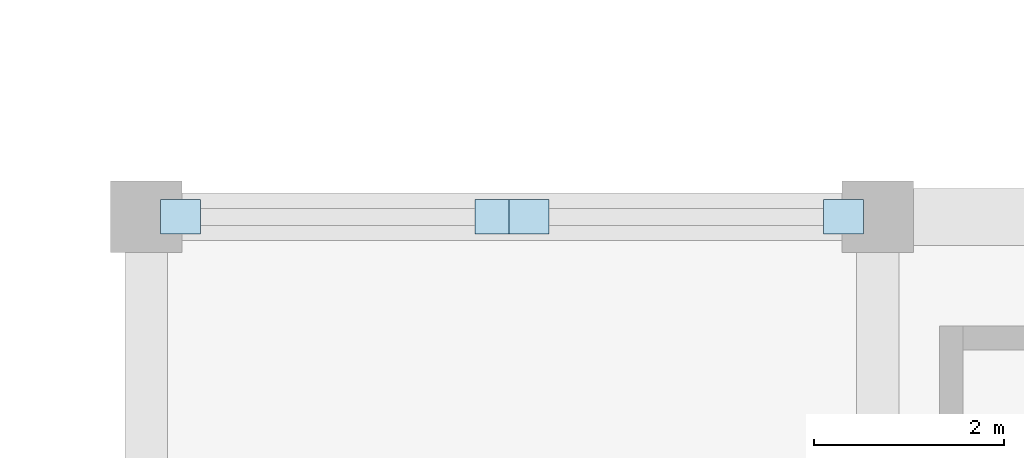
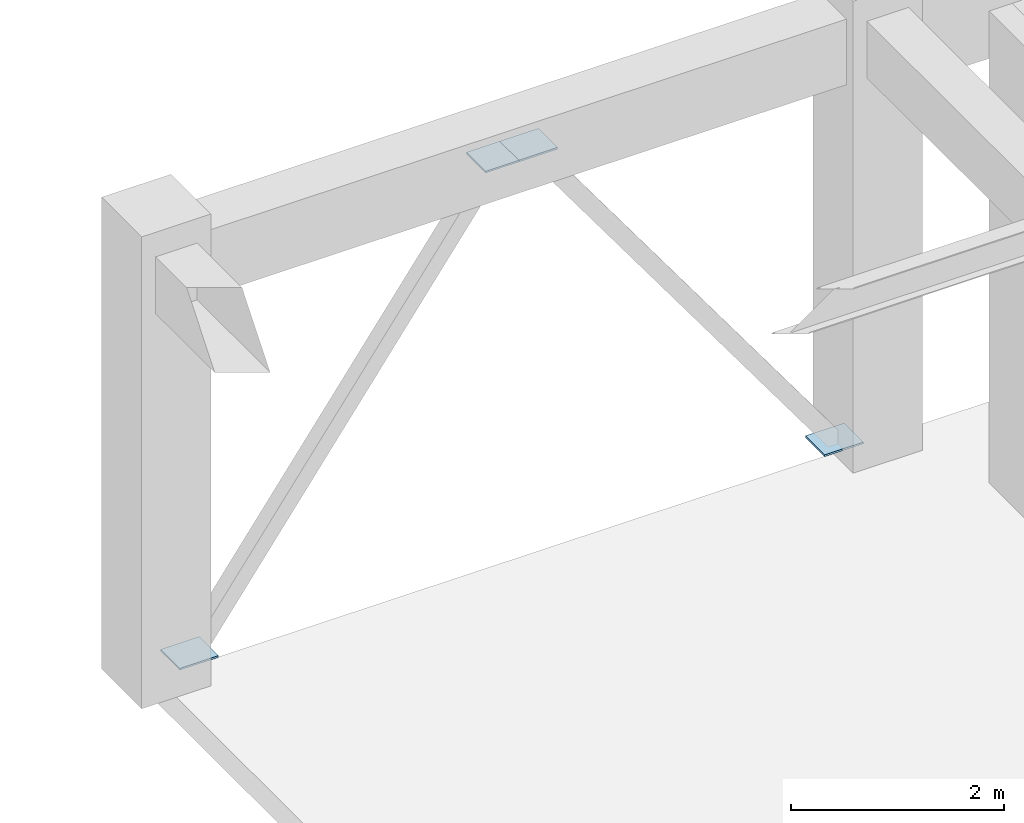
# One storey, part 52 of 70: 4 plates.
"""IFC4 building model written with IfcOpenShell, lengths in metres."""

import ifcopenshell
import ifcopenshell.guid

model = None  # the IFC model being written
_history = None  # IfcOwnerHistory: only IFC2X3 demands one
_inside = {}  # id of a spatial element -> (the spatial element, [elements in it])
_under = {}  # id of a project, library or spatial element -> (it, [spatial elements below it])
_declared = {}  # id of a project -> (the project, [libraries it declares])
_typed = {}  # id of a type object -> (the type object, [elements of that type])
_made_of = {}  # id of a material, layer set ... -> (it, [elements and type objects made of it])


def new_model(schema):
    """Start an empty IFC model of exactly this schema.

    Asked for "IFC4X3", IfcOpenShell would pick the latest addendum, in which some entities
    have other attributes; the version numbers below select the first issue.
    IFC2X3 requires an IfcOwnerHistory on every rooted entity: one is made here for all.
    """
    global model, _history
    if schema == "IFC4X3":
        model = ifcopenshell.file(schema_version=(4, 3, 0, 0))
    else:
        model = ifcopenshell.file(schema=schema)
    _inside.clear()
    _under.clear()
    _declared.clear()
    _typed.clear()
    _made_of.clear()
    _history = None
    if model.schema == "IFC2X3":
        org = make("IfcOrganization", Name="unknown")
        user = make(
            "IfcPersonAndOrganization",
            ThePerson=make("IfcPerson", FamilyName="unknown"),
            TheOrganization=org,
        )
        app = make(
            "IfcApplication",
            ApplicationDeveloper=org,
            Version="unknown",
            ApplicationFullName="unknown",
            ApplicationIdentifier="unknown",
        )
        _history = make(
            "IfcOwnerHistory",
            OwningUser=user,
            OwningApplication=app,
            ChangeAction="ADDED",
            CreationDate=0,
        )
    return model


def make(cls, **values):
    """One entity of the class cls with the attributes given. An attribute that is None is left unset."""
    return model.create_entity(
        cls, **{name: value for name, value in values.items() if value is not None}
    )


def rooted(cls, **values):
    """An entity with a GlobalId (a new one), such as an element, a storey or a relation."""
    return make(cls, GlobalId=ifcopenshell.guid.new(), OwnerHistory=_history, **values)


def si_unit(unit_type, name, prefix=None):
    """IfcSIUnit, for example si_unit("LENGTHUNIT", "METRE", prefix="MILLI")."""
    return make("IfcSIUnit", UnitType=unit_type, Prefix=prefix, Name=name)


def assignment(units):
    """IfcUnitAssignment: the units of a project."""
    return None if units is None else make("IfcUnitAssignment", Units=units)


def point(xyz):
    """IfcCartesianPoint."""
    return None if xyz is None else make("IfcCartesianPoint", Coordinates=xyz)


def direction(xyz):
    """IfcDirection."""
    return None if xyz is None else make("IfcDirection", DirectionRatios=xyz)


def frame(location, z_axis=None, x_axis=None):
    """IfcAxis2Placement3D, a coordinate frame: its origin and axes. An axis left out is left unset."""
    return make(
        "IfcAxis2Placement3D",
        Location=point(location),
        Axis=direction(z_axis),
        RefDirection=direction(x_axis),
    )


def frame_2d(location, x_axis=None):
    """IfcAxis2Placement2D, a coordinate frame in the plane: its origin and x axis."""
    return make(
        "IfcAxis2Placement2D", Location=point(location), RefDirection=direction(x_axis)
    )


def origin():
    """The frame at (0, 0, 0) with its axes left unset."""
    return frame((0.0, 0.0, 0.0))


def origin_2d():
    """The frame at (0, 0) in the plane with its x axis left unset."""
    return frame_2d((0.0, 0.0))


def place(relative_to, where):
    """IfcLocalPlacement: puts the frame where relative to a parent placement (None: the world)."""
    return make(
        "IfcLocalPlacement", PlacementRelTo=relative_to, RelativePlacement=where
    )


def context(
    kind, dimensions, precision=None, world=None, true_north=None, identifier=None
):
    """IfcGeometricRepresentationContext, for example the 3D "Model" context."""
    return make(
        "IfcGeometricRepresentationContext",
        ContextIdentifier=identifier,
        ContextType=kind,
        CoordinateSpaceDimension=dimensions,
        Precision=precision,
        WorldCoordinateSystem=world,
        TrueNorth=true_north,
    )


def subcontext(parent, identifier, kind, view, scale=None):
    """IfcGeometricRepresentationSubContext, for example "Body" below "Model"."""
    return make(
        "IfcGeometricRepresentationSubContext",
        ContextIdentifier=identifier,
        ContextType=kind,
        ParentContext=parent,
        TargetScale=scale,
        TargetView=view,
    )


def project(units=None, contexts=None):
    """IfcProject with its units and contexts."""
    return rooted(
        "IfcProject",
        Name="project",
        RepresentationContexts=contexts,
        UnitsInContext=assignment(units),
    )


def spatial(cls, under=None, at=None, **own):
    """A site, building, storey or space (cls), placed at a placement, below another one or the project."""
    s = rooted(cls, ObjectPlacement=at, **own)
    if under is not None:
        _under.setdefault(under.id(), (under, []))[1].append(s)
    return s


def profile(cls, at=None, kind="AREA", **sizes):
    """A parametric profile (cls). Its sizes go by their IFC names, for example OverallWidth=200.0."""
    return make(cls, ProfileType=kind, Position=at, **sizes)


def rectangle(**sizes):
    """IfcRectangleProfileDef."""
    return profile("IfcRectangleProfileDef", **sizes)


def extrude(swept, where, along, depth):
    """IfcExtrudedAreaSolid: the profile swept, set in the frame where, extruded along a direction by depth."""
    return make(
        "IfcExtrudedAreaSolid",
        SweptArea=swept,
        Position=where,
        ExtrudedDirection=direction(along),
        Depth=depth,
    )


def shape(context_of_items, identifier, shape_type, items):
    """IfcShapeRepresentation: the items that make up one representation, for example the "Body"."""
    return make(
        "IfcShapeRepresentation",
        ContextOfItems=context_of_items,
        RepresentationIdentifier=identifier,
        RepresentationType=shape_type,
        Items=items,
    )


def material(Name=None, Category=None):
    """IfcMaterial."""
    return make("IfcMaterial", Name=Name, Category=Category)


def layer(
    of_material, thickness, ventilated=None, Name=None, Category=None, Priority=None
):
    """IfcMaterialLayer: one layer of a wall or slab, of a material (None: an air gap)."""
    return make(
        "IfcMaterialLayer",
        Material=of_material,
        LayerThickness=thickness,
        IsVentilated=ventilated,
        Name=Name,
        Category=Category,
        Priority=Priority,
    )


def layer_set(layers, Name=None):
    """IfcMaterialLayerSet."""
    return make("IfcMaterialLayerSet", MaterialLayers=layers, LayerSetName=Name)


def made_of(thing, what):
    """Note that an element or type object is made of a material, layer set ...; save() writes the relation."""
    if what is not None:
        _made_of.setdefault(what.id(), (what, []))[1].append(thing)
    return thing


def type_object(cls, material=None, **own):
    """A type object (cls), such as IfcWallType, which elements share."""
    return made_of(rooted(cls, **own), material)


def element(
    cls,
    number,
    at=None,
    inside=None,
    cuts=None,
    type_object=None,
    material=None,
    context=None,
    identifier="Body",
    shape_type=None,
    held_by="IfcProductDefinitionShape",
    body=None,
    shapes=None,
    **own,
):
    """One element of the class cls, such as IfcWall. Its Tag is "e" and its number.

    at: its placement. inside: the storey or other place that contains it. cuts: it is an
    opening in that element (IfcRelVoidsElement). A single representation is given by context,
    identifier, shape_type and body (its items); several are given by shapes. held_by: the class
    of the entity that holds the representations. save() writes the other relations.
    """
    e = rooted(cls, Tag="e%d" % number, ObjectPlacement=at, **own)
    if body is not None:
        shapes = [shape(context, identifier, shape_type, body)]
    if shapes is not None:
        e.Representation = make(held_by, Representations=shapes)
    if inside is not None:
        _inside.setdefault(inside.id(), (inside, []))[1].append(e)
    if cuts is not None:
        rooted(
            "IfcRelVoidsElement", RelatingBuildingElement=cuts, RelatedOpeningElement=e
        )
    if type_object is not None:
        _typed.setdefault(type_object.id(), (type_object, []))[1].append(e)
    return made_of(e, material)


def aggregate(whole, parts):
    """IfcRelAggregates: a whole, such as a stair, and the parts it consists of."""
    return rooted("IfcRelAggregates", RelatingObject=whole, RelatedObjects=parts)


def save(model, path):
    """Write the relations noted so far, then the file.

    IfcRelAggregates (storeys below a building ...), IfcRelContainedInSpatialStructure (elements
    in a storey), IfcRelDefinesByType, IfcRelAssociatesMaterial and IfcRelDeclares: one each for
    every whole, place, type object, material and project.
    """
    for whole, parts in _under.values():
        aggregate(whole, parts)
    for where, things in _inside.values():
        rooted(
            "IfcRelContainedInSpatialStructure",
            RelatedElements=things,
            RelatingStructure=where,
        )
    for kind, things in _typed.values():
        rooted("IfcRelDefinesByType", RelatedObjects=things, RelatingType=kind)
    for what, things in _made_of.values():
        rooted("IfcRelAssociatesMaterial", RelatedObjects=things, RelatingMaterial=what)
    for by, libraries in _declared.values():
        rooted("IfcRelDeclares", RelatingContext=by, RelatedDefinitions=libraries)
    model.write(path)


model = new_model("IFC4")

# Units and contexts
model_context = context("Model", 3, precision=1e-05, world=origin(), true_north=direction((0.0, 1.0)))
body_context = subcontext(model_context, "Body", "Model", "MODEL_VIEW")
ifc_project = project(units=[si_unit("LENGTHUNIT", "METRE"), si_unit("AREAUNIT", "SQUARE_METRE"), si_unit("VOLUMEUNIT", "CUBIC_METRE"), si_unit("PLANEANGLEUNIT", "RADIAN"), si_unit("MASSUNIT", "GRAM", prefix="KILO")], contexts=[model_context])

# Site, building, storey
site_placement = place(None, origin())
site = spatial("IfcSite", under=ifc_project, at=site_placement, CompositionType="ELEMENT")
building_placement = place(site_placement, origin())
building = spatial("IfcBuilding", under=site, at=building_placement, Name="Cuetzalor Civic Arena", CompositionType="ELEMENT")
storey_placement = place(building_placement, frame((0.0, 0.0, 21.0)))
storey = spatial("IfcBuildingStorey", under=building, at=storey_placement, Name="L04", CompositionType="ELEMENT", Elevation=21.0)

# Plates
ifc_material = material(Name="Steel S355", Category="steel")
ifc_layer = layer(ifc_material, 0.02001953125)
ifc_layer_set = layer_set([ifc_layer], Name="Steel S355")
plate_type = type_object("IfcPlateType", Name="TubeEndCapPlate_CP01", PredefinedType="SHEET", material=ifc_layer_set)
for number, where, z_axis, x_axis, name in (
    (1, (56.659912109375, 25.0, 0.139892578125), (0.0, 0.0, 1.0), (1.0, 0.0, 0.0), "Brace End Cap Plate 031-1"),
    (2, (59.969970703125, 25.0, 4.669921875), (0.0, 0.0, 1.0), (1.0, 0.0, 0.0), "Brace End Cap Plate 031-2"),
    (3, (63.639892578125, 25.0, 0.139892578125), (0.0, 0.0, 1.0), (1.0, 0.0, 0.0), "Brace End Cap Plate 032-1"),
    (4, (60.330078125, 25.0, 4.669921875), (0.0, 0.0, 1.0), (1.0, 0.0, 0.0), "Brace End Cap Plate 032-2"),
):
    element("IfcPlate", number, at=place(storey_placement, frame(where, z_axis=z_axis, x_axis=x_axis)), inside=storey, type_object=plate_type, Name=name, PredefinedType="SHEET", context=body_context, shape_type="SweptSolid", body=[
        extrude(rectangle(XDim=0.419921875, YDim=0.360107421875, at=origin_2d()), origin(), (0.0, 0.0, 1.0), 0.02001953125),
    ])

save(model, "model.ifc")
